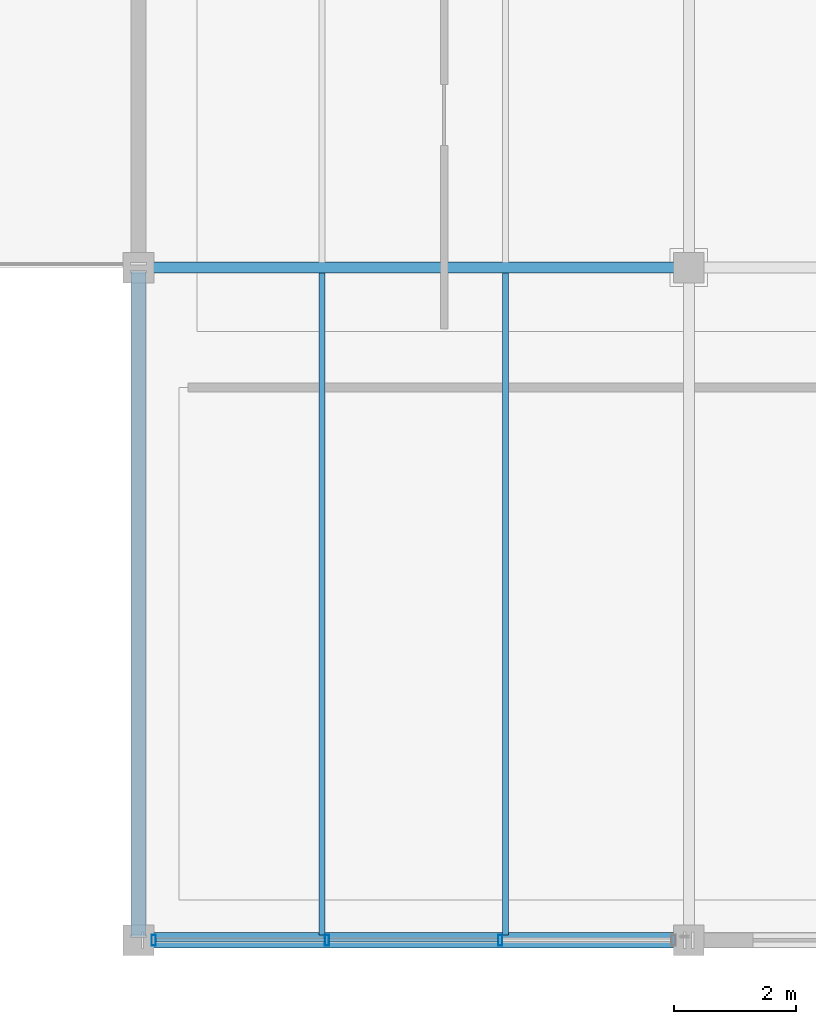
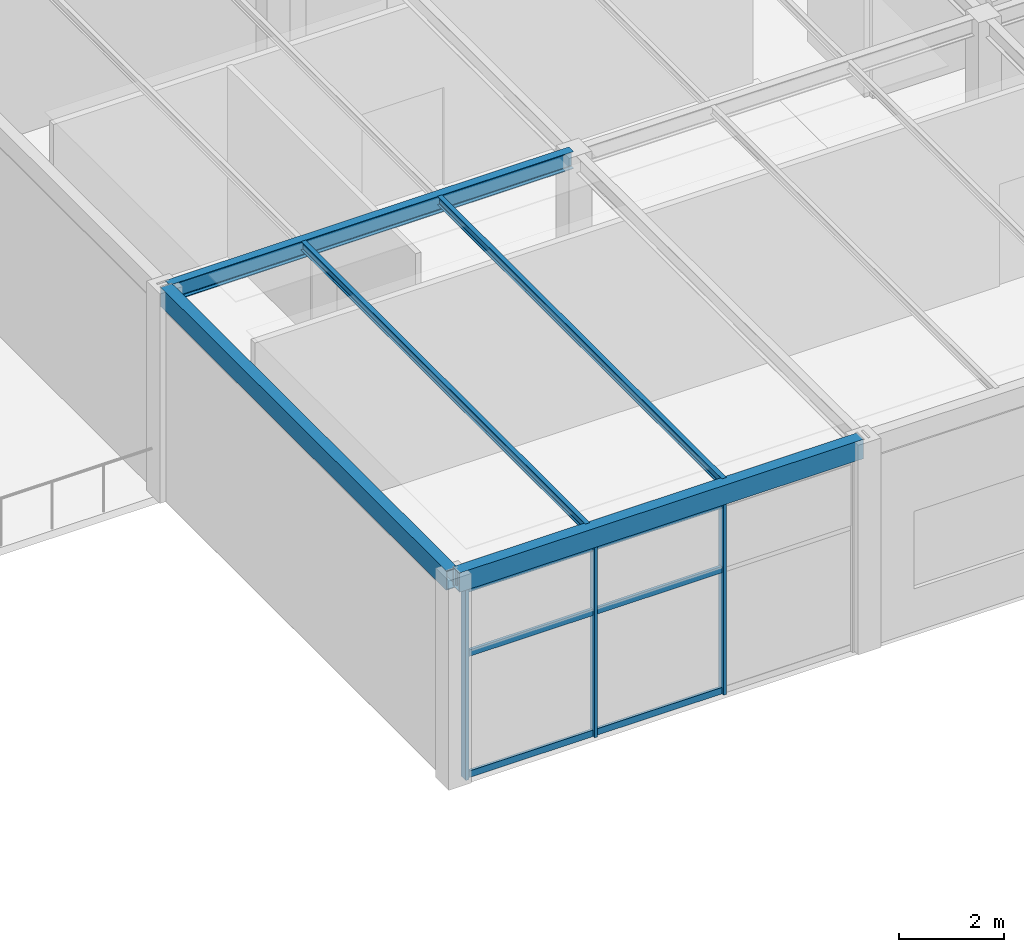
# One storey, part 59 of 195: 9 members, 5 beams, 1 element without a shape of its own.
"""IFC4 building model written with IfcOpenShell, lengths in metres."""

from ifc_helpers import new_model, si_unit, direction, frame, origin, origin_2d, place, context, subcontext, project, spatial, hollow_rectangle, i_section, extrude, material, layer, layer_set, material_profile, profile_set, type_object, element, aggregate, save


model = new_model("IFC4")

# Units and contexts
model_context = context("Model", 3, precision=1e-05, world=origin(), true_north=direction((0.0, 1.0)))
body_context = subcontext(model_context, "Body", "Model", "MODEL_VIEW")
ifc_project = project(units=[si_unit("LENGTHUNIT", "METRE"), si_unit("AREAUNIT", "SQUARE_METRE"), si_unit("VOLUMEUNIT", "CUBIC_METRE"), si_unit("PLANEANGLEUNIT", "RADIAN"), si_unit("MASSUNIT", "GRAM", prefix="KILO")], contexts=[model_context])

# Site, building, storey
site_placement = place(None, origin())
site = spatial("IfcSite", under=ifc_project, at=site_placement, CompositionType="ELEMENT")
building_placement = place(site_placement, origin())
building = spatial("IfcBuilding", under=site, at=building_placement, Name="Marlcrest Central Station", CompositionType="ELEMENT")
storey_placement = place(building_placement, frame((0.0, 0.0, 9.800048828125)))
storey = spatial("IfcBuildingStorey", under=building, at=storey_placement, Name="L02", CompositionType="ELEMENT", Elevation=9.800048828125)

# Beams
ifc_material_1 = material(Name="Steel S355", Category="steel")
ifc_material_profile_1 = material_profile(ifc_material_1, i_section(OverallWidth=0.179931640625, OverallDepth=0.39990234375, WebThickness=0.008544921875, FlangeThickness=0.013427734375, FilletRadius=0.02099609375, at=origin_2d()), Name="IPE 400")
ifc_profile_set_1 = profile_set([ifc_material_profile_1], Name="Steel S355")
beam_type_1 = type_object("IfcBeamType", Name="BM-03", PredefinedType="BEAM", material=ifc_profile_set_1)
beam_1_placement = place(storey_placement, frame((153.06005859375, 11.0, 4.669921875), z_axis=(1.0, 0.0, 0.0), x_axis=(0.0, 1.0, 0.0)))
element("IfcBeam", 1, at=beam_1_placement, inside=storey, type_object=beam_type_1, Name="bm-BM-03-L02-00961", PredefinedType="BEAM", context=body_context, shape_type="SweptSolid", body=[
    extrude(i_section(OverallWidth=0.179931640625, OverallDepth=0.39990234375, WebThickness=0.008544921875, FlangeThickness=0.013427734375, FilletRadius=0.02099609375, at=origin_2d()), origin(), (0.0, 0.0, 1.0), 8.8798828125),
])
ifc_material_profile_2 = material_profile(ifc_material_1, i_section(OverallWidth=0.10009765625, OverallDepth=0.199951171875, WebThickness=0.005615234375, FlangeThickness=0.008544921875, FilletRadius=0.011962890625, at=origin_2d()), Name="IPE 200")
ifc_profile_set_2 = profile_set([ifc_material_profile_2], Name="Steel S355")
beam_type_2 = type_object("IfcBeamType", Name="JS-01", PredefinedType="JOIST", material=ifc_profile_set_2)
for number, where, z_axis, x_axis, name in (
    (2, (156.0, 0.0830078125, 4.77001953125), (0.0, 1.0, 0.0), (-1.0, 0.0, 0.0), "bm-JS-01-L02-01000"),
    (3, (159.0, 0.0830078125, 4.77001953125), (0.0, 1.0, 0.0), (-1.0, 0.0, 0.0), "bm-JS-01-L02-01003"),
):
    element("IfcBeam", number, at=place(storey_placement, frame(where, z_axis=z_axis, x_axis=x_axis)), inside=storey, type_object=beam_type_2, Name=name, PredefinedType="JOIST", context=body_context, shape_type="SweptSolid", body=[
        extrude(i_section(OverallWidth=0.10009765625, OverallDepth=0.199951171875, WebThickness=0.005615234375, FlangeThickness=0.008544921875, FilletRadius=0.011962890625, at=origin_2d()), origin(), (0.0, 0.0, 1.0), 10.833984375),
    ])

# Curtain wall, members
ifc_material_2 = material(Name="Anodised aluminium and hurricane laminated glass", Category="aluminium")
ifc_layer = layer(ifc_material_2, 0.179931640625, Name="CW-S1")
ifc_layer_set = layer_set([ifc_layer], Name="Anodised aluminium and hurricane laminated glass")
curtain_wall_type = type_object("IfcCurtainWallType", Name="CW-S1", PredefinedType="USERDEFINED", material=ifc_layer_set)
curtain_wall_placement = place(storey_placement, origin())
curtain_wall = element("IfcCurtainWall", 4, at=curtain_wall_placement, inside=storey, type_object=curtain_wall_type, Name="cw-L02-0153", ObjectType="STICK_CURTAIN_WALL", PredefinedType="USERDEFINED")
ifc_material_3 = material(Name="Anodised aluminium 6063-T6", Category="aluminium")
ifc_material_profile_3 = material_profile(ifc_material_3, hollow_rectangle(XDim=0.070068359375, YDim=0.179931640625, WallThickness=0.0048828125, at=origin_2d()), Name="AA-RHS 180x70x5")
ifc_profile_set_3 = profile_set([ifc_material_profile_3], Name="Anodised aluminium 6063-T6")
member_type_1 = type_object("IfcMemberType", Name="ML-02", PredefinedType="MULLION", material=ifc_profile_set_3)
member_1_placement = place(storey_placement, frame((158.916748046875, 0.0, -0.030029296875), z_axis=(0.0, 0.0, 1.0), x_axis=(1.0, 0.0, 0.0)))
member_1 = element("IfcMember", 5, at=member_1_placement, type_object=member_type_1, Name="cw-L02-0153-ml-1", PredefinedType="MULLION", context=body_context, shape_type="SweptSolid", body=[
    extrude(hollow_rectangle(XDim=0.070068359375, YDim=0.179931640625, WallThickness=0.0048828125, at=origin_2d()), origin(), (0.0, 0.0, 1.0), 4.449951171875),
])
member_2_placement = place(storey_placement, frame((156.083251953125, 0.0, -0.030029296875), z_axis=(0.0, 0.0, 1.0), x_axis=(1.0, 0.0, 0.0)))
member_2 = element("IfcMember", 6, at=member_2_placement, type_object=member_type_1, Name="cw-L02-0153-ml-2", PredefinedType="MULLION", context=body_context, shape_type="SweptSolid", body=[
    extrude(hollow_rectangle(XDim=0.070068359375, YDim=0.179931640625, WallThickness=0.0048828125, at=origin_2d()), origin(), (0.0, 0.0, 1.0), 4.449951171875),
])
member_3_placement = place(storey_placement, frame((153.25, 0.0, -0.030029296875), z_axis=(0.0, 0.0, 1.0), x_axis=(1.0, 0.0, 0.0)))
member_3 = element("IfcMember", 7, at=member_3_placement, type_object=member_type_1, Name="cw-L02-0153-ml-3", PredefinedType="MULLION", context=body_context, shape_type="SweptSolid", body=[
    extrude(hollow_rectangle(XDim=0.070068359375, YDim=0.179931640625, WallThickness=0.0048828125, at=origin_2d()), origin(), (0.0, 0.0, 1.0), 4.449951171875),
])

# Beams
ifc_material_profile_4 = material_profile(ifc_material_1, hollow_rectangle(XDim=0.25, YDim=0.449951171875, WallThickness=0.01611328125, at=origin_2d()), Name="RHS 450x250x16")
ifc_profile_set_4 = profile_set([ifc_material_profile_4], Name="Steel S355")
beam_type_3 = type_object("IfcBeamType", Name="SP-02", PredefinedType="SPANDREL", material=ifc_profile_set_4)
beam_2_placement = place(storey_placement, frame((153.06005859375, 0.0, 4.64501953125), z_axis=(1.0, 0.0, 0.0), x_axis=(0.0, 1.0, 0.0)))
element("IfcBeam", 8, at=beam_2_placement, inside=storey, type_object=beam_type_3, Name="bm-SP-02-L02-00955", PredefinedType="SPANDREL", context=body_context, shape_type="SweptSolid", body=[
    extrude(hollow_rectangle(XDim=0.25, YDim=0.449951171875, WallThickness=0.01611328125, at=origin_2d()), origin(), (0.0, 0.0, 1.0), 8.8798828125),
])
beam_3_placement = place(storey_placement, frame((153.0, 0.06005859375, 4.64501953125), z_axis=(0.0, 1.0, 0.0), x_axis=(-1.0, 0.0, 0.0)))
element("IfcBeam", 9, at=beam_3_placement, inside=storey, type_object=beam_type_3, Name="bm-SP-02-L02-00979", PredefinedType="SPANDREL", context=body_context, shape_type="SweptSolid", body=[
    extrude(hollow_rectangle(XDim=0.25, YDim=0.449951171875, WallThickness=0.01611328125, at=origin_2d()), origin(), (0.0, 0.0, 1.0), 10.8798828125),
])

# Member
ifc_material_profile_5 = material_profile(ifc_material_3, hollow_rectangle(XDim=0.06005859375, YDim=0.14990234375, WallThickness=0.00390625, at=origin_2d()), Name="AA-RHS 150x60x4")
ifc_profile_set_5 = profile_set([ifc_material_profile_5], Name="Anodised aluminium 6063-T6")
member_type_2 = type_object("IfcMemberType", Name="TR-01", PredefinedType="USERDEFINED", material=ifc_profile_set_5)
member_4_placement = place(storey_placement, frame((158.8837890625, 0.0, 0.0400390625), z_axis=(-1.0, 0.0, 0.0), x_axis=(0.0, -1.0, 0.0)))
member_4 = element("IfcMember", 10, at=member_4_placement, type_object=member_type_2, Name="cw-L02-0153-tr-1-sill", ObjectType="TRANSOM", PredefinedType="USERDEFINED", context=body_context, shape_type="SweptSolid", body=[
    extrude(hollow_rectangle(XDim=0.06005859375, YDim=0.14990234375, WallThickness=0.00390625, at=origin_2d()), origin(), (0.0, 0.0, 1.0), 2.767578125),
])

member_5_placement = place(storey_placement, frame((158.8837890625, 0.0, 2.85400390625), z_axis=(-1.0, 0.0, 0.0), x_axis=(0.0, -1.0, 0.0)))
member_5 = element("IfcMember", 11, at=member_5_placement, type_object=member_type_2, Name="cw-L02-0153-tr-1-mid", ObjectType="TRANSOM", PredefinedType="USERDEFINED", context=body_context, shape_type="SweptSolid", body=[
    extrude(hollow_rectangle(XDim=0.06005859375, YDim=0.14990234375, WallThickness=0.00390625, at=origin_2d()), origin(), (0.0, 0.0, 1.0), 2.767578125),
])

member_6_placement = place(storey_placement, frame((158.8837890625, 0.0, 4.349853515625), z_axis=(-1.0, 0.0, 0.0), x_axis=(0.0, -1.0, 0.0)))
member_6 = element("IfcMember", 12, at=member_6_placement, type_object=member_type_2, Name="cw-L02-0153-tr-1-head", ObjectType="TRANSOM", PredefinedType="USERDEFINED", context=body_context, shape_type="SweptSolid", body=[
    extrude(hollow_rectangle(XDim=0.06005859375, YDim=0.14990234375, WallThickness=0.00390625, at=origin_2d()), origin(), (0.0, 0.0, 1.0), 2.767578125),
])

member_7_placement = place(storey_placement, frame((156.05029296875, 0.0, 0.0400390625), z_axis=(-1.0, 0.0, 0.0), x_axis=(0.0, -1.0, 0.0)))
member_7 = element("IfcMember", 13, at=member_7_placement, type_object=member_type_2, Name="cw-L02-0153-tr-2-sill", ObjectType="TRANSOM", PredefinedType="USERDEFINED", context=body_context, shape_type="SweptSolid", body=[
    extrude(hollow_rectangle(XDim=0.06005859375, YDim=0.14990234375, WallThickness=0.00390625, at=origin_2d()), origin(), (0.0, 0.0, 1.0), 2.767333984375),
])

member_8_placement = place(storey_placement, frame((156.05029296875, 0.0, 2.85400390625), z_axis=(-1.0, 0.0, 0.0), x_axis=(0.0, -1.0, 0.0)))
member_8 = element("IfcMember", 14, at=member_8_placement, type_object=member_type_2, Name="cw-L02-0153-tr-2-mid", ObjectType="TRANSOM", PredefinedType="USERDEFINED", context=body_context, shape_type="SweptSolid", body=[
    extrude(hollow_rectangle(XDim=0.06005859375, YDim=0.14990234375, WallThickness=0.00390625, at=origin_2d()), origin(), (0.0, 0.0, 1.0), 2.767333984375),
])

member_9_placement = place(storey_placement, frame((156.05029296875, 0.0, 4.349853515625), z_axis=(-1.0, 0.0, 0.0), x_axis=(0.0, -1.0, 0.0)))
member_9 = element("IfcMember", 15, at=member_9_placement, type_object=member_type_2, Name="cw-L02-0153-tr-2-head", ObjectType="TRANSOM", PredefinedType="USERDEFINED", context=body_context, shape_type="SweptSolid", body=[
    extrude(hollow_rectangle(XDim=0.06005859375, YDim=0.14990234375, WallThickness=0.00390625, at=origin_2d()), origin(), (0.0, 0.0, 1.0), 2.767333984375),
])

aggregate(curtain_wall, [member_1, member_2, member_3, member_4, member_5, member_6, member_7, member_8, member_9])

save(model, "model.ifc")
